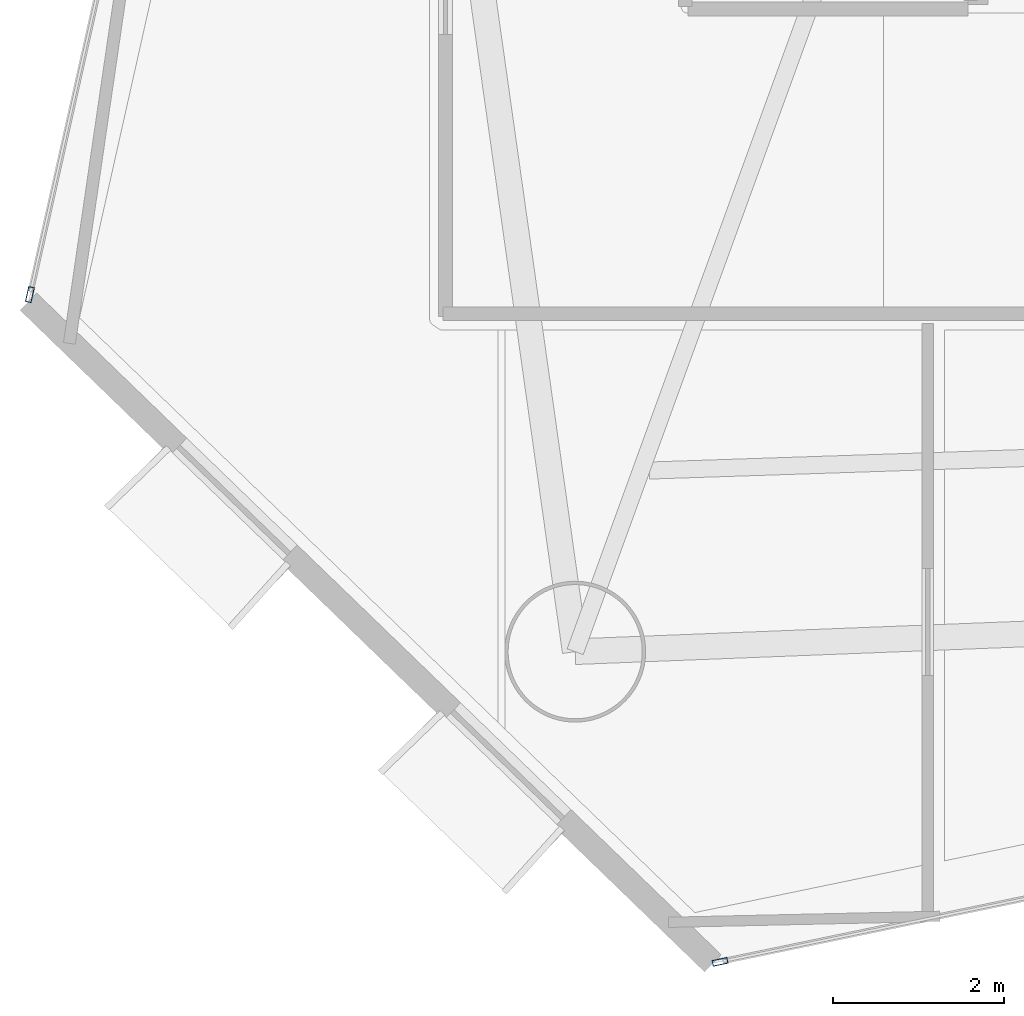
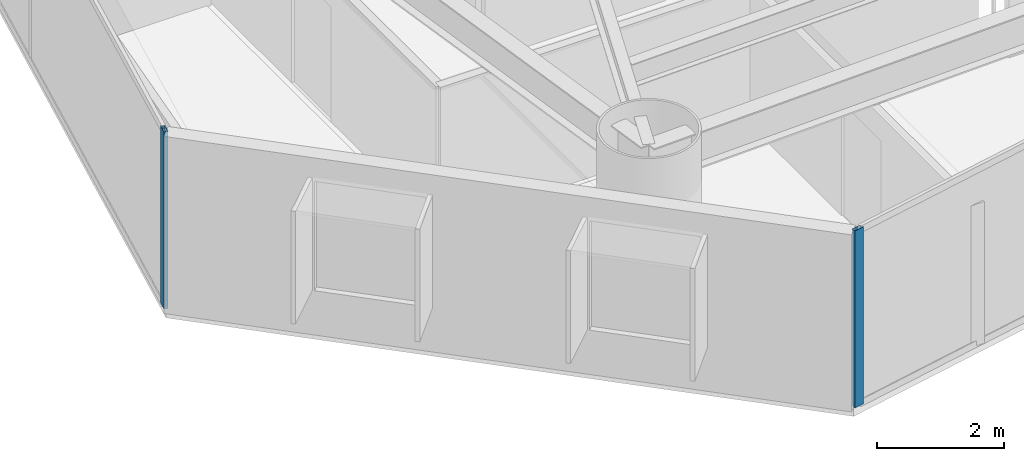
# One storey, part 2 of 22: 2 members, 2 elements without a shape of their own.
"""IFC4 building model written with IfcOpenShell, lengths in metres."""

from ifc_helpers import new_model, si_unit, direction, frame, origin, origin_2d, place, context, subcontext, project, spatial, hollow_rectangle, extrude, material, layer, layer_set, material_profile, profile_set, type_object, element, aggregate, save


model = new_model("IFC4")

# Units and contexts
model_context = context("Model", 3, precision=1e-05, world=origin(), true_north=direction((0.0, 1.0)))
body_context = subcontext(model_context, "Body", "Model", "MODEL_VIEW")
ifc_project = project(units=[si_unit("LENGTHUNIT", "METRE"), si_unit("AREAUNIT", "SQUARE_METRE"), si_unit("VOLUMEUNIT", "CUBIC_METRE"), si_unit("PLANEANGLEUNIT", "RADIAN"), si_unit("MASSUNIT", "GRAM", prefix="KILO")], contexts=[model_context])

# Site, building, storey
site_placement = place(None, origin())
site = spatial("IfcSite", under=ifc_project, at=site_placement, CompositionType="ELEMENT")
building_placement = place(site_placement, origin())
building = spatial("IfcBuilding", under=site, at=building_placement, Name="Qianvela Tower", CompositionType="ELEMENT")
storey_placement = place(building_placement, frame((0.0, 0.0, 89.5)))
storey = spatial("IfcBuildingStorey", under=building, at=storey_placement, Name="L22", CompositionType="ELEMENT", Elevation=89.5)

# Curtain wall, member
ifc_material_1 = material(Name="Anodised Architectural Aluminium and Low-E Glass", Category="aluminium")
ifc_layer = layer(ifc_material_1, 0.179931640625)
ifc_layer_set = layer_set([ifc_layer], Name="Anodised Architectural Aluminium and Low-E Glass")
curtain_wall_type = type_object("IfcCurtainWallType", Name="CW-COLIV-Z12", PredefinedType="USERDEFINED", material=ifc_layer_set)
curtain_wall_1_placement = place(storey_placement, origin())
curtain_wall_1 = element("IfcCurtainWall", 1, at=curtain_wall_1_placement, inside=storey, type_object=curtain_wall_type, Name="L22 CW-COLIV-Z12 Curtain Wall 04C", ObjectType="CURTAIN_WALL_SYSTEM", PredefinedType="USERDEFINED")
ifc_material_2 = material(Name="Anodised Architectural Aluminium 6063-T6", Category="aluminium")
ifc_material_profile = material_profile(ifc_material_2, hollow_rectangle(XDim=0.070068359375, YDim=0.179931640625, WallThickness=0.0048828125, at=origin_2d()), Name="ALU-MULL-70x180")
ifc_profile_set = profile_set([ifc_material_profile], Name="Anodised Architectural Aluminium 6063-T6")
member_type = type_object("IfcMemberType", Name="CW-COLIV-Z12-MULL", PredefinedType="MULLION", material=ifc_profile_set)
member_1_placement = place(storey_placement, frame((18.7158203125, 18.406005859375, 0.0), z_axis=(0.0, 0.0, 1.0), x_axis=(0.975762891831, -0.218830479881, 0.0)))
member_1 = element("IfcMember", 2, at=member_1_placement, type_object=member_type, Name="CW-3 mullion 2", PredefinedType="MULLION", context=body_context, shape_type="SweptSolid", body=[
    extrude(hollow_rectangle(XDim=0.070068359375, YDim=0.179931640625, WallThickness=0.0048828125, at=origin_2d()), origin(), (0.0, 0.0, 1.0), 3.39990234375),
])
aggregate(curtain_wall_1, [member_1])

curtain_wall_2_placement = place(storey_placement, origin())
curtain_wall_2 = element("IfcCurtainWall", 3, at=curtain_wall_2_placement, inside=storey, type_object=curtain_wall_type, Name="L22 CW-COLIV-Z12 Curtain Wall 06A", ObjectType="CURTAIN_WALL_SYSTEM", PredefinedType="USERDEFINED")
member_2_placement = place(storey_placement, frame((26.79541015625, 10.593505859375, 0.0), z_axis=(0.0, 0.0, 1.0), x_axis=(-0.203008219816, 0.979177033374, 0.0)))
member_2 = element("IfcMember", 4, at=member_2_placement, type_object=member_type, Name="CW-3 mullion 1", PredefinedType="MULLION", context=body_context, shape_type="SweptSolid", body=[
    extrude(hollow_rectangle(XDim=0.070068359375, YDim=0.179931640625, WallThickness=0.0048828125, at=origin_2d()), origin(), (0.0, 0.0, 1.0), 3.39990234375),
])
aggregate(curtain_wall_2, [member_2])

save(model, "model.ifc")
